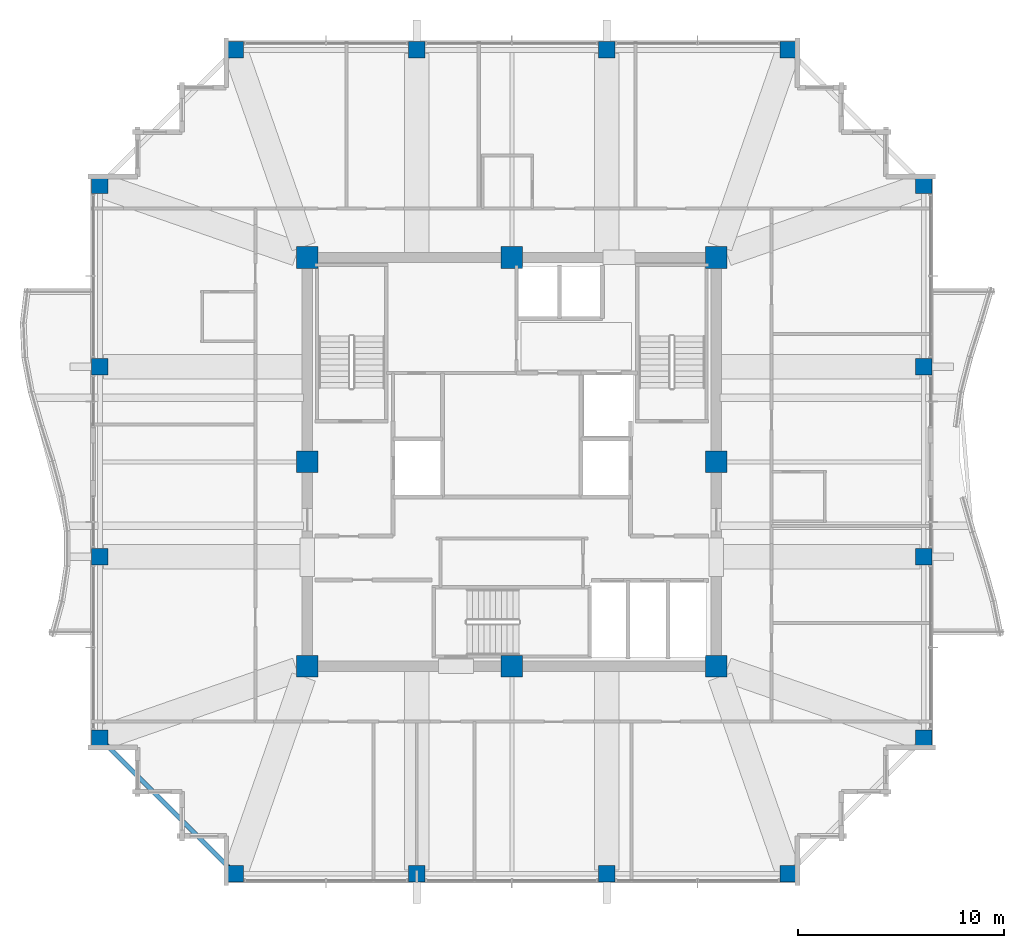
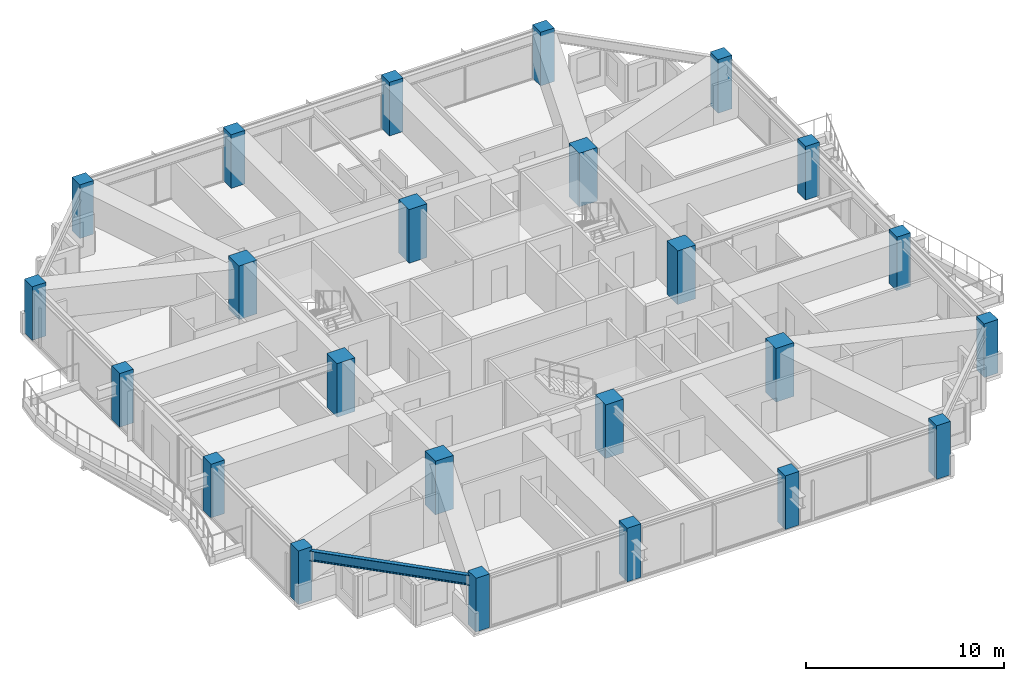
# One storey, part 1 of 35: 24 columns, 1 beam.
"""IFC4 building model written with IfcOpenShell, lengths in metres."""

from ifc_helpers import new_model, si_unit, direction, frame, origin, origin_2d, place, context, subcontext, project, spatial, rectangle, i_section, extrude, material, material_profile, profile_set, type_object, element, save


model = new_model("IFC4")

# Units and contexts
model_context = context("Model", 3, precision=1e-05, world=origin(), true_north=direction((0.0, 1.0)))
body_context = subcontext(model_context, "Body", "Model", "MODEL_VIEW")
ifc_project = project(units=[si_unit("LENGTHUNIT", "METRE"), si_unit("AREAUNIT", "SQUARE_METRE"), si_unit("VOLUMEUNIT", "CUBIC_METRE"), si_unit("PLANEANGLEUNIT", "RADIAN"), si_unit("MASSUNIT", "GRAM", prefix="KILO")], contexts=[model_context])

# Site, building, storey
site_placement = place(None, origin())
site = spatial("IfcSite", under=ifc_project, at=site_placement, CompositionType="ELEMENT")
building_placement = place(site_placement, origin())
building = spatial("IfcBuilding", under=site, at=building_placement, Name="Kolvaren Belvedere", CompositionType="ELEMENT")
storey_placement = place(building_placement, frame((0.0, 0.0, 203.10009765625)))
storey = spatial("IfcBuildingStorey", under=building, at=storey_placement, Name="L59", CompositionType="ELEMENT", Elevation=203.10009765625)

# Columns
ifc_material_1 = material(Name="Concrete C50/60", Category="concrete")
ifc_material_profile_1 = material_profile(ifc_material_1, rectangle(XDim=1.050048828125, YDim=1.050048828125, at=origin_2d()), Name="RC 1050X1050")
ifc_profile_set_1 = profile_set([ifc_material_profile_1], Name="Concrete C50/60")
column_type_1 = type_object("IfcColumnType", Name="COL-RC-1050", PredefinedType="COLUMN", material=ifc_profile_set_1)
for number, where, z_axis, x_axis, name in (
    (1, (-9.89990234375, -9.89990234375, 0.0), (0.0, 0.0, 1.0), (1.0, 0.0, 0.0), "L59 Core Column CC1"),
    (2, (9.89990234375, -9.89990234375, 0.0), (0.0, 0.0, 1.0), (1.0, 0.0, 0.0), "L59 Core Column CC2"),
    (3, (9.89990234375, 9.89990234375, 0.0), (0.0, 0.0, 1.0), (1.0, 0.0, 0.0), "L59 Core Column CC3"),
    (4, (-9.89990234375, 9.89990234375, 0.0), (0.0, 0.0, 1.0), (1.0, 0.0, 0.0), "L59 Core Column CC4"),
    (5, (0.0, -9.89990234375, 0.0), (0.0, 0.0, 1.0), (1.0, 0.0, 0.0), "L59 Core Column CM1"),
    (6, (9.89990234375, 0.0, 0.0), (0.0, 0.0, 1.0), (1.0, 0.0, 0.0), "L59 Core Column CM2"),
    (7, (0.0, 9.89990234375, 0.0), (0.0, 0.0, 1.0), (1.0, 0.0, 0.0), "L59 Core Column CM3"),
    (8, (-9.89990234375, 0.0, 0.0), (0.0, 0.0, 1.0), (1.0, 0.0, 0.0), "L59 Core Column CM4"),
):
    element("IfcColumn", number, at=place(storey_placement, frame(where, z_axis=z_axis, x_axis=x_axis)), inside=storey, type_object=column_type_1, Name=name, PredefinedType="COLUMN", context=body_context, shape_type="SweptSolid", body=[
        extrude(rectangle(XDim=1.050048828125, YDim=1.050048828125, at=origin_2d()), origin(), (0.0, 0.0, 1.0), 3.2998046875),
    ])
ifc_material_2 = material(Name="Concrete C50/60", Category="concrete")
ifc_material_profile_2 = material_profile(ifc_material_2, rectangle(XDim=0.800048828125, YDim=0.800048828125, at=origin_2d()), Name="RC 800X800")
ifc_profile_set_2 = profile_set([ifc_material_profile_2], Name="Concrete C50/60")
column_type_2 = type_object("IfcColumnType", Name="COL-RC-800", PredefinedType="COLUMN", material=ifc_profile_set_2)
for number, where, z_axis, x_axis, name in (
    (9, (-13.39990234375, -19.949951171875, 0.0), (0.0, 0.0, 1.0), (1.0, 0.0, 0.0), "L59 Perimeter Column S1"),
    (10, (-4.60009765625, -19.949951171875, 0.0), (0.0, 0.0, 1.0), (1.0, 0.0, 0.0), "L59 Perimeter Column S2"),
    (11, (4.60009765625, -19.949951171875, 0.0), (0.0, 0.0, 1.0), (1.0, 0.0, 0.0), "L59 Perimeter Column S3"),
    (12, (13.39990234375, -19.949951171875, 0.0), (0.0, 0.0, 1.0), (1.0, 0.0, 0.0), "L59 Perimeter Column S4"),
    (13, (-13.39990234375, 19.949951171875, 0.0), (0.0, 0.0, 1.0), (1.0, 0.0, 0.0), "L59 Perimeter Column N1"),
    (14, (-4.60009765625, 19.949951171875, 0.0), (0.0, 0.0, 1.0), (1.0, 0.0, 0.0), "L59 Perimeter Column N2"),
    (15, (4.60009765625, 19.949951171875, 0.0), (0.0, 0.0, 1.0), (1.0, 0.0, 0.0), "L59 Perimeter Column N3"),
    (16, (13.39990234375, 19.949951171875, 0.0), (0.0, 0.0, 1.0), (1.0, 0.0, 0.0), "L59 Perimeter Column N4"),
    (17, (-19.949951171875, -13.39990234375, 0.0), (0.0, 0.0, 1.0), (1.0, 0.0, 0.0), "L59 Perimeter Column W1"),
    (18, (-19.949951171875, -4.60009765625, 0.0), (0.0, 0.0, 1.0), (1.0, 0.0, 0.0), "L59 Perimeter Column W2"),
    (19, (-19.949951171875, 4.60009765625, 0.0), (0.0, 0.0, 1.0), (1.0, 0.0, 0.0), "L59 Perimeter Column W3"),
    (20, (-19.949951171875, 13.39990234375, 0.0), (0.0, 0.0, 1.0), (1.0, 0.0, 0.0), "L59 Perimeter Column W4"),
    (21, (19.949951171875, -13.39990234375, 0.0), (0.0, 0.0, 1.0), (1.0, 0.0, 0.0), "L59 Perimeter Column E1"),
    (22, (19.949951171875, -4.60009765625, 0.0), (0.0, 0.0, 1.0), (1.0, 0.0, 0.0), "L59 Perimeter Column E2"),
    (23, (19.949951171875, 4.60009765625, 0.0), (0.0, 0.0, 1.0), (1.0, 0.0, 0.0), "L59 Perimeter Column E3"),
    (24, (19.949951171875, 13.39990234375, 0.0), (0.0, 0.0, 1.0), (1.0, 0.0, 0.0), "L59 Perimeter Column E4"),
):
    element("IfcColumn", number, at=place(storey_placement, frame(where, z_axis=z_axis, x_axis=x_axis)), inside=storey, type_object=column_type_2, Name=name, PredefinedType="COLUMN", context=body_context, shape_type="SweptSolid", body=[
        extrude(rectangle(XDim=0.800048828125, YDim=0.800048828125, at=origin_2d()), origin(), (0.0, 0.0, 1.0), 3.2998046875),
    ])

# Beam
ifc_material_3 = material(Name="Structural steel ASTM A992 Grade 50", Category="steel")
ifc_material_profile_3 = material_profile(ifc_material_3, i_section(OverallWidth=0.22900390625, OverallDepth=0.612060546875, WebThickness=0.011962890625, FlangeThickness=0.01953125, FilletRadius=0.01806640625, at=origin_2d()), Name="W24X84")
ifc_profile_set_3 = profile_set([ifc_material_profile_3], Name="Structural steel ASTM A992 Grade 50")
beam_type = type_object("IfcBeamType", Name="BM-SPAN-W24X84", PredefinedType="SPANDREL", material=ifc_profile_set_3)
beam_placement = place(storey_placement, frame((-19.82275390625, -13.52734375, 2.77392578125), z_axis=(0.707106781187, -0.707106781187, 0.0), x_axis=(0.707106781187, 0.707106781187, 0.0)))
element("IfcBeam", 25, at=beam_placement, inside=storey, type_object=beam_type, Name="L59 Perimeter Spandrel W1-S1", PredefinedType="SPANDREL", context=body_context, shape_type="SweptSolid", body=[
    extrude(i_section(OverallWidth=0.22900390625, OverallDepth=0.612060546875, WebThickness=0.011962890625, FlangeThickness=0.01953125, FilletRadius=0.01806640625, at=origin_2d()), origin(), (0.0, 0.0, 1.0), 8.903076171875),
])

save(model, "model.ifc")
